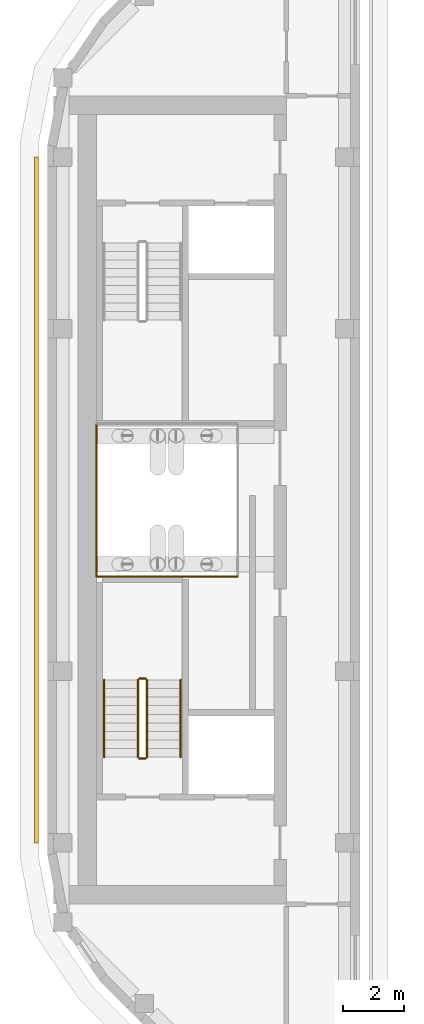
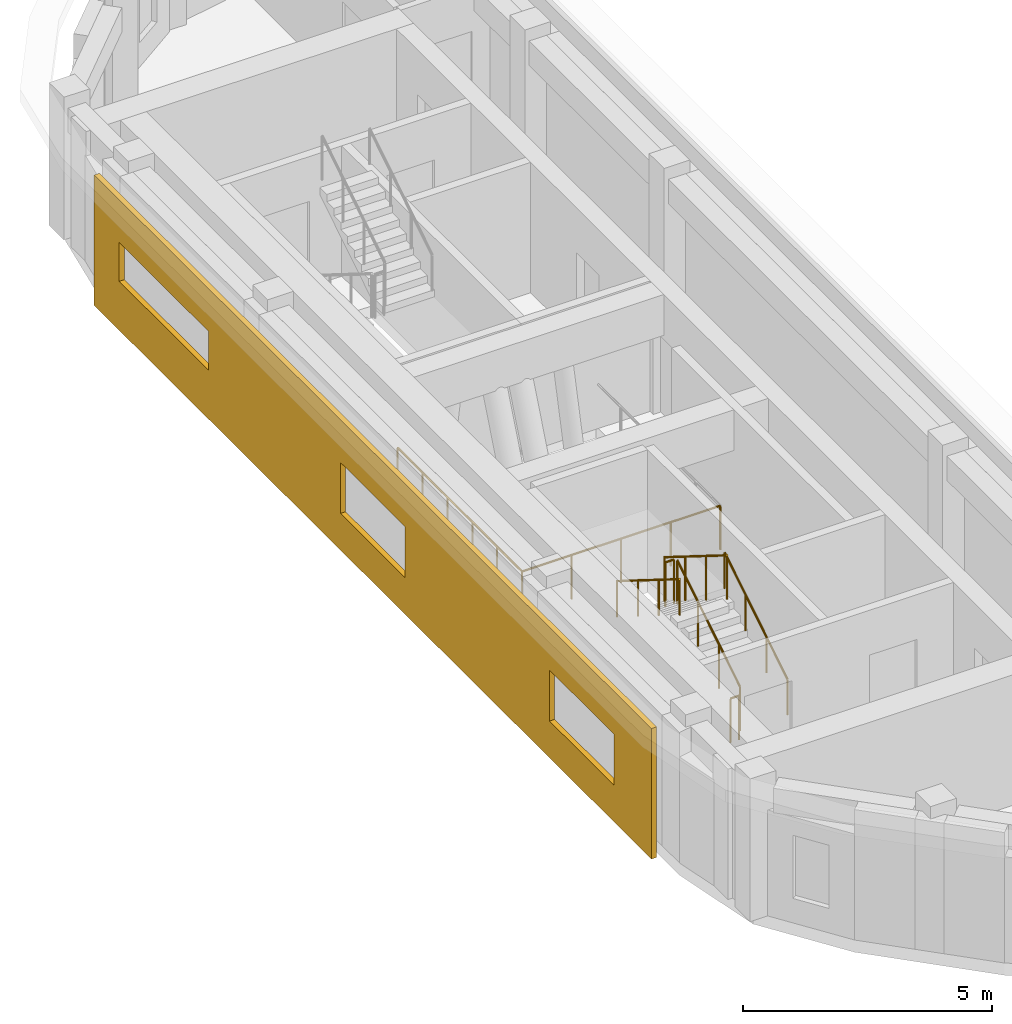
# One storey, part 5 of 8: 8 railings, 1 covering.
"""IFC4 building model written with IfcOpenShell, lengths in metres."""

from ifc_helpers import new_model, si_unit, direction, frame, origin, origin_2d, place, context, subcontext, project, spatial, polyline, circle, outline, extrude, material, layer, layer_set, type_object, element, save


model = new_model("IFC4")

# Units and contexts
model_context = context("Model", 3, precision=1e-05, world=origin(), true_north=direction((0.0, 1.0)))
body_context = subcontext(model_context, "Body", "Model", "MODEL_VIEW")
ifc_project = project(units=[si_unit("LENGTHUNIT", "METRE"), si_unit("AREAUNIT", "SQUARE_METRE"), si_unit("VOLUMEUNIT", "CUBIC_METRE"), si_unit("PLANEANGLEUNIT", "RADIAN"), si_unit("MASSUNIT", "GRAM", prefix="KILO")], contexts=[model_context])

# Site, building, storey
site_placement = place(None, origin())
site = spatial("IfcSite", under=ifc_project, at=site_placement, CompositionType="ELEMENT")
building_placement = place(site_placement, origin())
building = spatial("IfcBuilding", under=site, at=building_placement, Name="Kiln Ring Residences", CompositionType="ELEMENT")
storey_placement = place(building_placement, frame((0.0, 0.0, 317.39990234375)))
storey = spatial("IfcBuildingStorey", under=building, at=storey_placement, Name="L82 Crown", CompositionType="ELEMENT", Elevation=317.39990234375)

# Railings
ifc_material_1 = material(Name="Stainless steel", Category="steel")
railing_type_1 = type_object("IfcRailingType", Name="CORE-STAIR-GUARD", PredefinedType="GUARDRAIL", material=ifc_material_1)
railing_1_placement = place(storey_placement, frame((-21.949951171875, -8.39990234375, 0.175048828125)))
element("IfcRailing", 1, at=railing_1_placement, inside=storey, type_object=railing_type_1, Name="L82 Crown W-STS stair guard 1", PredefinedType="GUARDRAIL", context=body_context, shape_type="SweptSolid", body=[
    extrude(circle(Radius=0.02392578125, at=origin_2d()), frame((0.0, 0.0, 1.076171875), z_axis=(0.0, 0.848007534815, 0.529984170421), x_axis=(-1.0, 0.0, 0.0)), (0.0, 0.0, 1.0), 2.9716796875),
    extrude(circle(Radius=0.02099609375, at=origin_2d()), origin(), (0.0, 0.0, 1.0), 1.052001953125),
    extrude(circle(Radius=0.02099609375, at=origin_2d()), frame((0.0, 0.840087890625, 0.52490234375)), (0.0, 0.0, 1.0), 1.052001953125),
    extrude(circle(Radius=0.02099609375, at=origin_2d()), frame((0.0, 1.679931640625, 1.050048828125)), (0.0, 0.0, 1.0), 1.052001953125),
    extrude(circle(Radius=0.02099609375, at=origin_2d()), frame((0.0, 2.52001953125, 1.574951171875)), (0.0, 0.0, 1.0), 1.052001953125),
])
railing_2_placement = place(storey_placement, frame((-22.0, -5.830078125, 1.75)))
element("IfcRailing", 2, at=railing_2_placement, inside=storey, type_object=railing_type_1, Name="L82 Crown W-STS stair guard 2", PredefinedType="GUARDRAIL", context=body_context, shape_type="SweptSolid", body=[
    extrude(circle(Radius=0.02392578125, at=origin_2d()), frame((0.0, 0.0, 1.076171875), z_axis=(-1.0, 0.0, 0.0), x_axis=(0.0, -1.0, 0.0)), (0.0, 0.0, 1.0), 0.199951171875),
    extrude(circle(Radius=0.02099609375, at=origin_2d()), origin(), (0.0, 0.0, 1.0), 1.052001953125),
    extrude(circle(Radius=0.02099609375, at=origin_2d()), frame((-0.199951171875, 0.0, 0.0)), (0.0, 0.0, 1.0), 1.052001953125),
])
railing_3_placement = place(storey_placement, frame((-22.25, -5.8798828125, 1.925048828125)))
element("IfcRailing", 3, at=railing_3_placement, inside=storey, type_object=railing_type_1, Name="L82 Crown W-STS stair guard 3", PredefinedType="GUARDRAIL", context=body_context, shape_type="SweptSolid", body=[
    extrude(circle(Radius=0.02392578125, at=origin_2d()), frame((0.0, 0.0, 1.076171875), z_axis=(0.0, -0.848007534815, 0.529984170421), x_axis=(1.0, 0.0, 0.0)), (0.0, 0.0, 1.0), 2.9716796875),
    extrude(circle(Radius=0.02099609375, at=origin_2d()), origin(), (0.0, 0.0, 1.0), 1.052001953125),
    extrude(circle(Radius=0.02099609375, at=origin_2d()), frame((0.0, -0.840087890625, 0.52490234375)), (0.0, 0.0, 1.0), 1.052001953125),
    extrude(circle(Radius=0.02099609375, at=origin_2d()), frame((0.0, -1.679931640625, 1.050048828125)), (0.0, 0.0, 1.0), 1.052001953125),
    extrude(circle(Radius=0.02099609375, at=origin_2d()), frame((0.0, -2.52001953125, 1.574951171875)), (0.0, 0.0, 1.0), 1.052001953125),
])
railing_4_placement = place(storey_placement, frame((-22.0, -8.449951171875, 0.0)))
element("IfcRailing", 4, at=railing_4_placement, inside=storey, type_object=railing_type_1, Name="L82 Crown W-STS stair guard 4", PredefinedType="GUARDRAIL", context=body_context, shape_type="SweptSolid", body=[
    extrude(circle(Radius=0.02392578125, at=origin_2d()), frame((0.0, 0.0, 1.076171875), z_axis=(-1.0, 0.0, 0.0), x_axis=(0.0, -1.0, 0.0)), (0.0, 0.0, 1.0), 0.199951171875),
    extrude(circle(Radius=0.02099609375, at=origin_2d()), origin(), (0.0, 0.0, 1.0), 1.052001953125),
    extrude(circle(Radius=0.02099609375, at=origin_2d()), frame((-0.199951171875, 0.0, 0.0)), (0.0, 0.0, 1.0), 1.052001953125),
])
ifc_material_2 = material(Name="Stainless steel", Category="steel")
railing_type_2 = type_object("IfcRailingType", Name="CORE-STAIR-HANDRAIL", PredefinedType="HANDRAIL", material=ifc_material_2)
railing_5_placement = place(storey_placement, frame((-20.85009765625, -8.39990234375, 0.175048828125)))
element("IfcRailing", 5, at=railing_5_placement, inside=storey, type_object=railing_type_2, Name="L82 Crown W-STS stair handrail 1", PredefinedType="HANDRAIL", context=body_context, shape_type="SweptSolid", body=[
    extrude(circle(Radius=0.02392578125, at=origin_2d()), frame((0.0, 0.0, 0.8759765625), z_axis=(0.0, 0.848007534815, 0.529984170421), x_axis=(-1.0, 0.0, 0.0)), (0.0, 0.0, 1.0), 2.9716796875),
    extrude(circle(Radius=0.02099609375, at=origin_2d()), origin(), (0.0, 0.0, 1.0), 0.851806640625),
    extrude(circle(Radius=0.02099609375, at=origin_2d()), frame((0.0, 0.840087890625, 0.52490234375)), (0.0, 0.0, 1.0), 0.851806640625),
    extrude(circle(Radius=0.02099609375, at=origin_2d()), frame((0.0, 1.679931640625, 1.050048828125)), (0.0, 0.0, 1.0), 0.851806640625),
    extrude(circle(Radius=0.02099609375, at=origin_2d()), frame((0.0, 2.52001953125, 1.574951171875)), (0.0, 0.0, 1.0), 0.851806640625),
])
railing_6_placement = place(storey_placement, frame((-23.35009765625, -5.8798828125, 1.925048828125)))
element("IfcRailing", 6, at=railing_6_placement, inside=storey, type_object=railing_type_2, Name="L82 Crown W-STS stair handrail 2", PredefinedType="HANDRAIL", context=body_context, shape_type="SweptSolid", body=[
    extrude(circle(Radius=0.02392578125, at=origin_2d()), frame((0.0, 0.0, 0.8759765625), z_axis=(0.0, -0.848007534815, 0.529984170421), x_axis=(1.0, 0.0, 0.0)), (0.0, 0.0, 1.0), 2.9716796875),
    extrude(circle(Radius=0.02099609375, at=origin_2d()), origin(), (0.0, 0.0, 1.0), 0.851806640625),
    extrude(circle(Radius=0.02099609375, at=origin_2d()), frame((0.0, -0.840087890625, 0.52490234375)), (0.0, 0.0, 1.0), 0.851806640625),
    extrude(circle(Radius=0.02099609375, at=origin_2d()), frame((0.0, -1.679931640625, 1.050048828125)), (0.0, 0.0, 1.0), 0.851806640625),
    extrude(circle(Radius=0.02099609375, at=origin_2d()), frame((0.0, -2.52001953125, 1.574951171875)), (0.0, 0.0, 1.0), 0.851806640625),
])

# Covering
ifc_material_3 = material(Name="Brick masonry, dark clay brick", Category="masonry")
ifc_layer = layer(ifc_material_3, 0.1201171875)
ifc_layer_set = layer_set([ifc_layer], Name="RAINSCREEN PANEL 120")
covering_type = type_object("IfcCoveringType", Name="RAINSCREEN PANEL 120", PredefinedType="CLADDING", material=ifc_layer_set)
covering_placement = place(storey_placement, frame((-25.56005859375, 11.199951171875, 0.0), z_axis=(0.0, 0.0, 1.0), x_axis=(0.0, -1.0, 0.0)))
element("IfcCovering", 7, at=covering_placement, inside=storey, type_object=covering_type, Name="RAINSCREEN L82 Crown", PredefinedType="CLADDING", context=body_context, shape_type="SweptSolid", body=[
    extrude(outline(polyline([(0.0, 0.0), (22.39990234375, 0.0), (22.39990234375, 3.2001953125), (0.0, 3.2001953125), (0.0, 0.0)]), holes=[polyline([(12.5, 2.150146484375), (9.89990234375, 2.150146484375), (9.89990234375, 0.900146484375), (12.5, 0.900146484375), (12.5, 2.150146484375)]), polyline([(20.89990234375, 0.900146484375), (20.89990234375, 2.150146484375), (18.300048828125, 2.150146484375), (18.300048828125, 0.900146484375), (20.89990234375, 0.900146484375)]), polyline([(4.60009765625, 1.2001953125), (4.60009765625, 2.150146484375), (1.0, 2.150146484375), (1.0, 1.2001953125), (4.60009765625, 1.2001953125)])]), frame((0.0, 0.06005859375, 0.0), z_axis=(0.0, -1.0, 0.0), x_axis=(1.0, 0.0, 0.0)), (0.0, 0.0, 1.0), 0.1201171875),
])

# Railings
ifc_material_4 = material(Name="Black powder-coated steel", Category="steel")
railing_type_3 = type_object("IfcRailingType", Name="ROOF GUARD 1100", PredefinedType="GUARDRAIL", material=ifc_material_4)
railing_7_placement = place(storey_placement, frame((-23.60009765625, 2.5, 0.0)))
element("IfcRailing", 8, at=railing_7_placement, inside=storey, type_object=railing_type_3, Name="GUARD L82 Crown damper opening", PredefinedType="GUARDRAIL", context=body_context, shape_type="SweptSolid", body=[
    extrude(circle(Radius=0.02392578125, at=origin_2d()), frame((0.0, 0.0, 1.076171875), z_axis=(0.0, -1.0, 0.0), x_axis=(1.0, 0.0, 0.0)), (0.0, 0.0, 1.0), 5.0),
    extrude(circle(Radius=0.02099609375, at=origin_2d()), origin(), (0.0, 0.0, 1.0), 1.052001953125),
    extrude(circle(Radius=0.02099609375, at=origin_2d()), frame((0.0, -1.0, 0.0)), (0.0, 0.0, 1.0), 1.052001953125),
    extrude(circle(Radius=0.02099609375, at=origin_2d()), frame((0.0, -2.0, 0.0)), (0.0, 0.0, 1.0), 1.052001953125),
    extrude(circle(Radius=0.02099609375, at=origin_2d()), frame((0.0, -3.0, 0.0)), (0.0, 0.0, 1.0), 1.052001953125),
    extrude(circle(Radius=0.02099609375, at=origin_2d()), frame((0.0, -4.0, 0.0)), (0.0, 0.0, 1.0), 1.052001953125),
    extrude(circle(Radius=0.02099609375, at=origin_2d()), frame((0.0, -5.0, 0.0)), (0.0, 0.0, 1.0), 1.052001953125),
])
railing_8_placement = place(storey_placement, frame((-23.60009765625, -2.5, 0.0)))
element("IfcRailing", 9, at=railing_8_placement, inside=storey, type_object=railing_type_3, Name="GUARD L82 Crown damper opening", PredefinedType="GUARDRAIL", context=body_context, shape_type="SweptSolid", body=[
    extrude(circle(Radius=0.02392578125, at=origin_2d()), frame((0.0, 0.0, 1.076171875), z_axis=(1.0, 0.0, 0.0), x_axis=(0.0, 1.0, 0.0)), (0.0, 0.0, 1.0), 4.60009765625),
    extrude(circle(Radius=0.02099609375, at=origin_2d()), origin(), (0.0, 0.0, 1.0), 1.052001953125),
    extrude(circle(Radius=0.02099609375, at=origin_2d()), frame((1.14990234375, 0.0, 0.0)), (0.0, 0.0, 1.0), 1.052001953125),
    extrude(circle(Radius=0.02099609375, at=origin_2d()), frame((2.300048828125, 0.0, 0.0)), (0.0, 0.0, 1.0), 1.052001953125),
    extrude(circle(Radius=0.02099609375, at=origin_2d()), frame((3.4501953125, 0.0, 0.0)), (0.0, 0.0, 1.0), 1.052001953125),
    extrude(circle(Radius=0.02099609375, at=origin_2d()), frame((4.60009765625, 0.0, 0.0)), (0.0, 0.0, 1.0), 1.052001953125),
])

save(model, "model.ifc")
